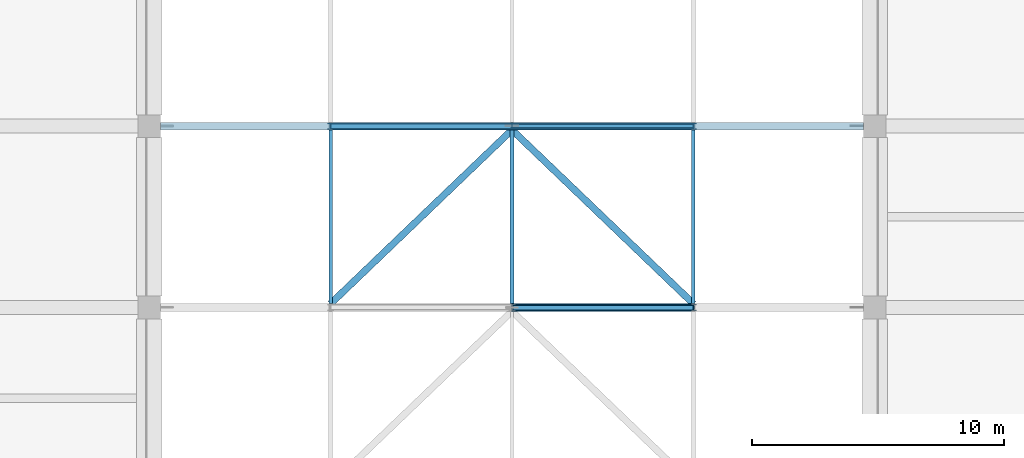
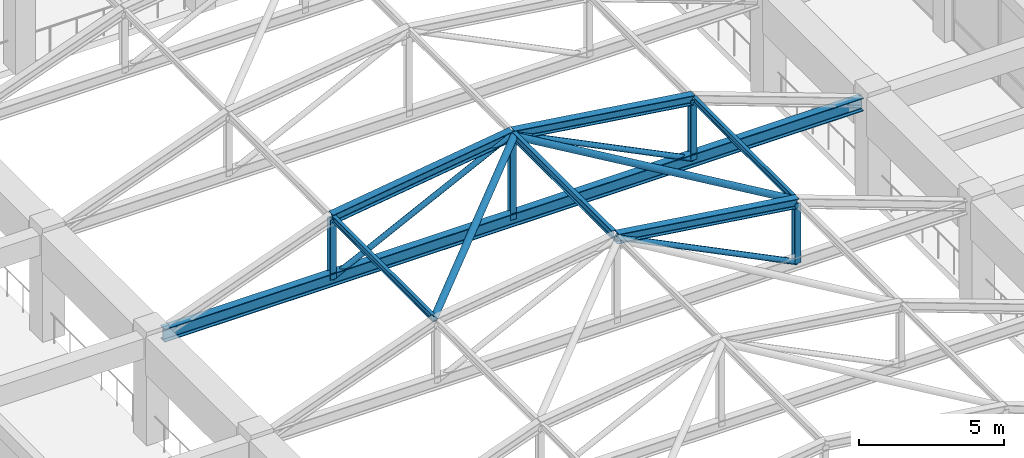
# One storey, part 38 of 75: 15 members, 1 beam.
"""IFC4 building model written with IfcOpenShell, lengths in metres."""

from ifc_helpers import new_model, si_unit, direction, frame, origin, origin_2d, place, context, subcontext, project, spatial, hollow_circle, i_section, extrude, material, material_profile, profile_set, type_object, element, save


model = new_model("IFC4")

# Units and contexts
model_context = context("Model", 3, precision=1e-05, world=origin(), true_north=direction((0.0, 1.0)))
body_context = subcontext(model_context, "Body", "Model", "MODEL_VIEW")
ifc_project = project(units=[si_unit("LENGTHUNIT", "METRE"), si_unit("AREAUNIT", "SQUARE_METRE"), si_unit("VOLUMEUNIT", "CUBIC_METRE"), si_unit("PLANEANGLEUNIT", "RADIAN"), si_unit("MASSUNIT", "GRAM", prefix="KILO")], contexts=[model_context])

# Site, building, storey
site_placement = place(None, origin())
site = spatial("IfcSite", under=ifc_project, at=site_placement, CompositionType="ELEMENT")
building_placement = place(site_placement, origin())
building = spatial("IfcBuilding", under=site, at=building_placement, Name="Cendaluz Park School", CompositionType="ELEMENT")
storey_placement = place(building_placement, frame((0.0, 0.0, 4.800048828125)))
storey = spatial("IfcBuildingStorey", under=building, at=storey_placement, Name="L01", CompositionType="ELEMENT", Elevation=4.800048828125)

# Beam
ifc_material = material(Name="Steel S355", Category="steel")
ifc_material_profile_1 = material_profile(ifc_material, i_section(OverallWidth=0.300048828125, OverallDepth=0.550048828125, WebThickness=0.014892578125, FlangeThickness=0.029052734375, FilletRadius=0.027099609375, at=origin_2d()), Name="HEB 550", Category="steel")
ifc_profile_set_1 = profile_set([ifc_material_profile_1], Name="Steel S355")
beam_type = type_object("IfcBeamType", Name="BM-ST11", PredefinedType="BEAM", material=ifc_profile_set_1)
beam_placement = place(storey_placement, frame((137.25, 79.199951171875, 4.14990234375), z_axis=(1.0, 0.0, 0.0), x_axis=(0.0, 1.0, 0.0)))
element("IfcBeam", 1, at=beam_placement, inside=storey, type_object=beam_type, Name="BM-L01-BMST11-0532", PredefinedType="BEAM", context=body_context, shape_type="SweptSolid", body=[
    extrude(i_section(OverallWidth=0.300048828125, OverallDepth=0.550048828125, WebThickness=0.014892578125, FlangeThickness=0.029052734375, FilletRadius=0.027099609375, at=origin_2d()), origin(), (0.0, 0.0, 1.0), 27.89990234375),
])

# Members
ifc_material_profile_2 = material_profile(ifc_material, i_section(OverallWidth=0.300048828125, OverallDepth=0.39990234375, WebThickness=0.013916015625, FlangeThickness=0.02392578125, FilletRadius=0.027099609375, at=origin_2d()), Name="HEB 400", Category="steel")
ifc_profile_set_2 = profile_set([ifc_material_profile_2], Name="Steel S355")
member_type_1 = type_object("IfcMemberType", Name="MB-CH01", PredefinedType="CHORD", material=ifc_profile_set_2)
for number, where, z_axis, x_axis, name in (
    (2, (151.199951171875, 72.0, 7.7099609375), (0.990113333567, 0.0, -0.140269692708), (0.0, 1.0, 0.0), "MB-L01-MBCH01-0106"),
    (3, (144.0, 79.199951171875, 6.68994140625), (0.990113333567, 0.0, 0.140269692708), (0.0, 1.0, 0.0), "MB-L01-MBCH01-0114"),
    (4, (151.199951171875, 79.199951171875, 7.7099609375), (0.990113333567, 0.0, -0.140269692708), (0.0, 1.0, 0.0), "MB-L01-MBCH01-0115"),
):
    element("IfcMember", number, at=place(storey_placement, frame(where, z_axis=z_axis, x_axis=x_axis)), inside=storey, type_object=member_type_1, Name=name, PredefinedType="CHORD", context=body_context, shape_type="SweptSolid", body=[
        extrude(i_section(OverallWidth=0.300048828125, OverallDepth=0.39990234375, WebThickness=0.013916015625, FlangeThickness=0.02392578125, FilletRadius=0.027099609375, at=origin_2d()), origin(), (0.0, 0.0, 1.0), 7.271728515625),
    ])
ifc_material_profile_3 = material_profile(ifc_material, i_section(OverallWidth=0.135009765625, OverallDepth=0.27001953125, WebThickness=0.007080078125, FlangeThickness=0.010009765625, FilletRadius=0.014892578125, at=origin_2d()), Name="IPE 270", Category="steel")
ifc_profile_set_3 = profile_set([ifc_material_profile_3], Name="Steel S355")
member_type_2 = type_object("IfcMemberType", Name="MB-PR01", PredefinedType="PURLIN", material=ifc_profile_set_3)
for number, where, z_axis, x_axis, name in (
    (5, (144.0, 72.14990234375, 6.73486328125), (0.0, 1.0, 0.0), (-1.0, 0.0, 0.0), "MB-L01-MBPR01-0157"),
    (6, (158.39990234375, 72.14990234375, 6.73486328125), (0.0, 1.0, 0.0), (-1.0, 0.0, 0.0), "MB-L01-MBPR01-0159"),
):
    element("IfcMember", number, at=place(storey_placement, frame(where, z_axis=z_axis, x_axis=x_axis)), inside=storey, type_object=member_type_2, Name=name, PredefinedType="PURLIN", context=body_context, shape_type="SweptSolid", body=[
        extrude(i_section(OverallWidth=0.135009765625, OverallDepth=0.27001953125, WebThickness=0.007080078125, FlangeThickness=0.010009765625, FilletRadius=0.014892578125, at=origin_2d()), origin(), (0.0, 0.0, 1.0), 6.900146484375),
    ])
ifc_material_profile_4 = material_profile(ifc_material, i_section(OverallWidth=0.159912109375, OverallDepth=0.330078125, WebThickness=0.008056640625, FlangeThickness=0.011962890625, FilletRadius=0.01806640625, at=origin_2d()), Name="IPE 330", Category="steel")
ifc_profile_set_4 = profile_set([ifc_material_profile_4], Name="Steel S355")
member_type_3 = type_object("IfcMemberType", Name="MB-PR02", PredefinedType="PURLIN", material=ifc_profile_set_4)
member_1_placement = place(storey_placement, frame((151.199951171875, 72.14990234375, 7.73486328125), z_axis=(0.0, 1.0, 0.0), x_axis=(-1.0, 0.0, 0.0)))
element("IfcMember", 7, at=member_1_placement, inside=storey, type_object=member_type_3, Name="MB-L01-MBPR02-0158", PredefinedType="PURLIN", context=body_context, shape_type="SweptSolid", body=[
    extrude(i_section(OverallWidth=0.159912109375, OverallDepth=0.330078125, WebThickness=0.008056640625, FlangeThickness=0.011962890625, FilletRadius=0.01806640625, at=origin_2d()), origin(), (0.0, 0.0, 1.0), 6.900146484375),
])
ifc_material_profile_5 = material_profile(ifc_material, hollow_circle(Radius=0.136474609375, WallThickness=0.011962890625, at=origin_2d()), Name="CHS 273x12", Category="steel")
ifc_profile_set_5 = profile_set([ifc_material_profile_5], Name="Steel S355")
member_type_4 = type_object("IfcMemberType", Name="MBR-01", PredefinedType="BRACE", material=ifc_profile_set_5)
for number, where, z_axis, x_axis, name in (
    (8, (144.0, 72.14990234375, 6.68994140625), (0.718231302195, 0.688324278387, 0.101752072855), (-0.691915465865, 0.721978523293, 0.0), "MB-L01-MBBR01-0160"),
    (9, (158.39990234375, 72.14990234375, 6.68994140625), (-0.718231302195, 0.688324278387, 0.101752072855), (-0.691915465865, -0.721978523293, 0.0), "MB-L01-MBBR01-0161"),
):
    element("IfcMember", number, at=place(storey_placement, frame(where, z_axis=z_axis, x_axis=x_axis)), inside=storey, type_object=member_type_4, Name=name, PredefinedType="BRACE", context=body_context, shape_type="SweptSolid", body=[
        extrude(hollow_circle(Radius=0.136474609375, WallThickness=0.011962890625, at=origin_2d()), origin(), (0.0, 0.0, 1.0), 10.024658203125),
    ])
ifc_material_profile_6 = material_profile(ifc_material, hollow_circle(Radius=0.109619140625, WallThickness=0.010009765625, at=origin_2d()), Name="CHS 219x10", Category="steel")
ifc_profile_set_6 = profile_set([ifc_material_profile_6], Name="Steel S355")
member_type_5 = type_object("IfcMemberType", Name="MBR-02", PredefinedType="BRACE", material=ifc_profile_set_6)
for number, where, z_axis, x_axis, name in (
    (10, (158.39990234375, 72.0, 4.14990234375), (-0.896406248188, 0.0, 0.443233390224), (0.0, -1.0, 0.0), "MB-L01-MBBR02-0112"),
    (11, (144.0, 79.199951171875, 4.14990234375), (0.896406248188, 0.0, 0.443233390224), (0.0, 1.0, 0.0), "MB-L01-MBBR02-0120"),
    (12, (158.39990234375, 79.199951171875, 4.14990234375), (-0.896406248188, 0.0, 0.443233390224), (0.0, -1.0, 0.0), "MB-L01-MBBR02-0121"),
):
    element("IfcMember", number, at=place(storey_placement, frame(where, z_axis=z_axis, x_axis=x_axis)), inside=storey, type_object=member_type_5, Name=name, PredefinedType="BRACE", context=body_context, shape_type="SweptSolid", body=[
        extrude(hollow_circle(Radius=0.109619140625, WallThickness=0.010009765625, at=origin_2d()), origin(), (0.0, 0.0, 1.0), 8.031982421875),
    ])
ifc_material_profile_7 = material_profile(ifc_material, i_section(OverallWidth=0.239990234375, OverallDepth=0.22998046875, WebThickness=0.008056640625, FlangeThickness=0.011962890625, FilletRadius=0.02099609375, at=origin_2d()), Name="HEA 240", Category="steel")
ifc_profile_set_7 = profile_set([ifc_material_profile_7], Name="Steel S355")
member_type_6 = type_object("IfcMemberType", Name="MST-01", PredefinedType="STRUT", material=ifc_profile_set_7)
for number, where, z_axis, x_axis, name in (
    (13, (158.39990234375, 72.0, 4.14990234375), (0.0, 0.0, 1.0), (1.0, 0.0, 0.0), "MB-L01-MBST01-0110"),
    (14, (144.0, 79.199951171875, 4.14990234375), (0.0, 0.0, 1.0), (1.0, 0.0, 0.0), "MB-L01-MBST01-0117"),
):
    element("IfcMember", number, at=place(storey_placement, frame(where, z_axis=z_axis, x_axis=x_axis)), inside=storey, type_object=member_type_6, Name=name, PredefinedType="STRUT", context=body_context, shape_type="SweptSolid", body=[
        extrude(i_section(OverallWidth=0.239990234375, OverallDepth=0.22998046875, WebThickness=0.008056640625, FlangeThickness=0.011962890625, FilletRadius=0.02099609375, at=origin_2d()), origin(), (0.0, 0.0, 1.0), 2.5400390625),
    ])
member_2_placement = place(storey_placement, frame((151.199951171875, 79.199951171875, 4.14990234375), z_axis=(0.0, 0.0, 1.0), x_axis=(1.0, 0.0, 0.0)))
element("IfcMember", 15, at=member_2_placement, inside=storey, type_object=member_type_6, Name="MB-L01-MBST01-0118", PredefinedType="STRUT", context=body_context, shape_type="SweptSolid", body=[
    extrude(i_section(OverallWidth=0.239990234375, OverallDepth=0.22998046875, WebThickness=0.008056640625, FlangeThickness=0.011962890625, FilletRadius=0.02099609375, at=origin_2d()), origin(), (0.0, 0.0, 1.0), 3.56005859375),
])
member_3_placement = place(storey_placement, frame((158.39990234375, 79.199951171875, 4.14990234375), z_axis=(0.0, 0.0, 1.0), x_axis=(1.0, 0.0, 0.0)))
element("IfcMember", 16, at=member_3_placement, inside=storey, type_object=member_type_6, Name="MB-L01-MBST01-0119", PredefinedType="STRUT", context=body_context, shape_type="SweptSolid", body=[
    extrude(i_section(OverallWidth=0.239990234375, OverallDepth=0.22998046875, WebThickness=0.008056640625, FlangeThickness=0.011962890625, FilletRadius=0.02099609375, at=origin_2d()), origin(), (0.0, 0.0, 1.0), 2.5400390625),
])

save(model, "model.ifc")
